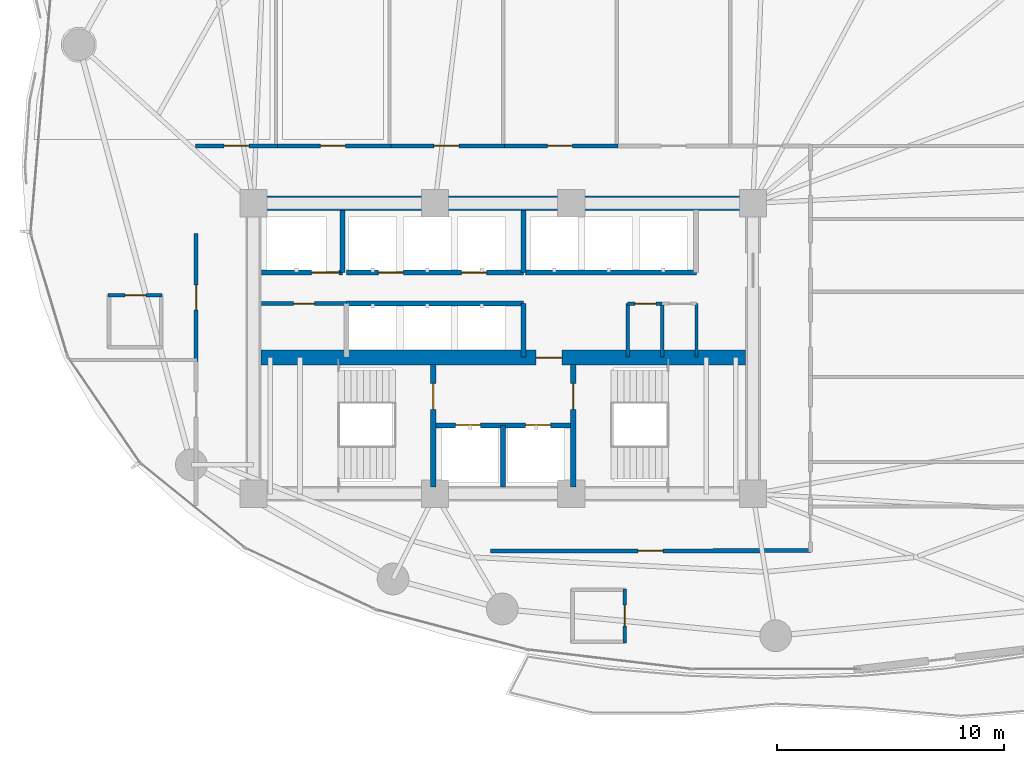
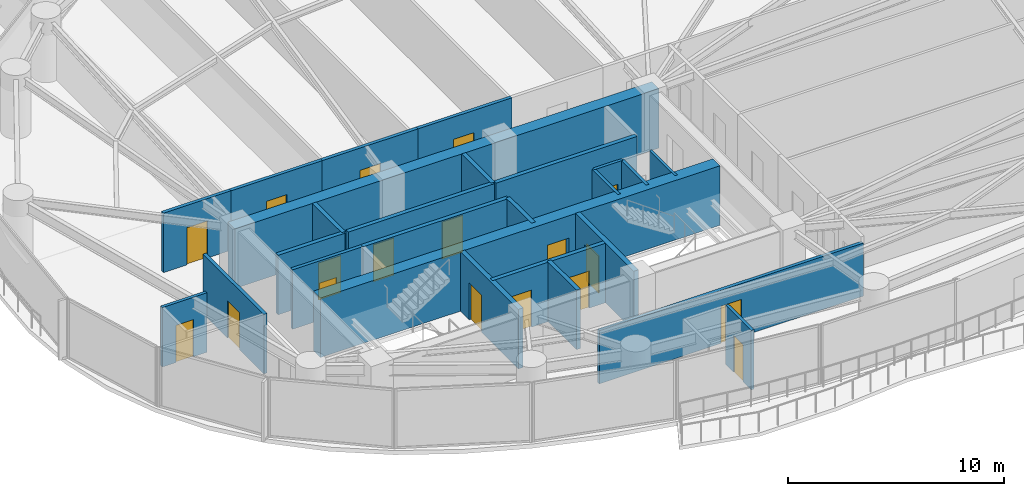
# One storey, part 25 of 30: 26 walls, 18 doors, 18 openings.
"""IFC4 building model written with IfcOpenShell, lengths in metres."""

from ifc_helpers import new_model, si_unit, direction, frame, frame_2d, origin, place, context, subcontext, project, spatial, rectangle, extrude, material, layer, layer_set, type_object, element, fill, save


model = new_model("IFC4")

# Units and contexts
model_context = context("Model", 3, precision=1e-05, world=origin(), true_north=direction((0.0, 1.0)))
body_context = subcontext(model_context, "Body", "Model", "MODEL_VIEW")
ifc_project = project(units=[si_unit("LENGTHUNIT", "METRE"), si_unit("AREAUNIT", "SQUARE_METRE"), si_unit("VOLUMEUNIT", "CUBIC_METRE"), si_unit("PLANEANGLEUNIT", "RADIAN"), si_unit("MASSUNIT", "GRAM", prefix="KILO")], contexts=[model_context])

# Site, building, storey
site_placement = place(None, origin())
site = spatial("IfcSite", under=ifc_project, at=site_placement, CompositionType="ELEMENT")
building_placement = place(site_placement, origin())
building = spatial("IfcBuilding", under=site, at=building_placement, Name="Kazevale Care Tower and Concert Hall", CompositionType="ELEMENT")
storey_placement = place(building_placement, frame((0.0, 0.0, 74.39990234375)))
storey = spatial("IfcBuildingStorey", under=building, at=storey_placement, Name="L19", CompositionType="ELEMENT", Elevation=74.39990234375)

# Walls
ifc_material_1 = material(Name="Acoustic Gypsum on Steel Stud", Category="steel")
ifc_layer_1 = layer(ifc_material_1, 0.139892578125)
ifc_layer_set_1 = layer_set([ifc_layer_1], Name="Acoustic Gypsum on Steel Stud")
wall_type_1 = type_object("IfcWallType", Name="Acoustic Care & Suite Partition 140", PredefinedType="PARTITIONING", material=ifc_layer_set_1)
wall_1_placement = place(storey_placement, frame((41.52001953125, 29.6201171875, 0.0), z_axis=(0.0, 0.0, 1.0), x_axis=(0.0, 1.0, 0.0)))
element("IfcWall", 1, at=wall_1_placement, inside=storey, type_object=wall_type_1, Name="wall:L19:ka_ee", PredefinedType="PARTITIONING", context=body_context, shape_type="SweptSolid", body=[
    extrude(rectangle(XDim=2.35986328125, YDim=0.139892578125, at=frame_2d((1.179931640625, 0.0))), origin(), (0.0, 0.0, 1.0), 3.360107421875),
])
ifc_material_2 = material(Name="Concrete C70", Category="concrete")
ifc_layer_2 = layer(ifc_material_2, 0.64990234375)
ifc_layer_set_2 = layer_set([ifc_layer_2], Name="Concrete C70")
wall_type_2 = type_object("IfcWallType", Name="Core Shear Wall 650 C70", PredefinedType="SHEAR", material=ifc_layer_set_2)
wall_2_placement = place(storey_placement, frame((21.675048828125, 36.39990234375, 0.0), z_axis=(0.0, 0.0, 1.0), x_axis=(1.0, 0.0, 0.0)))
element("IfcWall", 2, at=wall_2_placement, inside=storey, type_object=wall_type_2, Name="wall:L19:core:N", PredefinedType="SHEAR", context=body_context, shape_type="SweptSolid", body=[
    extrude(rectangle(XDim=22.64990234375, YDim=0.64990234375, at=frame_2d((11.324951171875, 0.0))), origin(), (0.0, 0.0, 1.0), 3.360107421875),
])

# Wall, opening, door
wall_3_placement = place(storey_placement, frame((22.324951171875, 29.60009765625, 0.0), z_axis=(0.0, 0.0, 1.0), x_axis=(1.0, 0.0, 0.0)))
wall_3 = element("IfcWall", 3, at=wall_3_placement, inside=storey, type_object=wall_type_2, Name="wall:L19:core:M", PredefinedType="SHEAR", context=body_context, shape_type="SweptSolid", body=[
    extrude(rectangle(XDim=21.35009765625, YDim=0.64990234375, at=frame_2d((10.675048828125, 0.0))), origin(), (0.0, 0.0, 1.0), 3.360107421875),
])
opening_1_placement = place(wall_3_placement, frame((12.125, 0.0, 0.0)))
opening_1 = element("IfcOpeningElement", 4, at=opening_1_placement, cuts=wall_3, Name="Opening FD-90", PredefinedType="OPENING", context=body_context, shape_type="SweptSolid", body=[
    extrude(rectangle(XDim=1.14990234375, YDim=2.10009765625, at=frame_2d((0.574951171875, 1.050048828125))), frame((0.0, 0.3349609375, 0.0), z_axis=(0.0, -1.0, 0.0), x_axis=(1.0, 0.0, 0.0)), (0.0, 0.0, 1.0), 0.669921875),
])
ifc_material_3 = material(Name="Steel ASTM A572 Gr 50", Category="steel")
door_type_1 = type_object("IfcDoorType", Name="Pressurized Stair & Lobby Fire Door 1150x2100", OperationType="NOTDEFINED", PredefinedType="DOOR", material=ifc_material_3)
door_1_placement = place(opening_1_placement, origin())
door_1 = element("IfcDoor", 5, at=door_1_placement, inside=storey, type_object=door_type_1, Name="door:L19:ff_to_pax", OperationType="SINGLE_SWING_LEFT", OverallHeight=2.10009765625, OverallWidth=1.14990234375, PredefinedType="DOOR", context=body_context, shape_type="SweptSolid", body=[
    extrude(rectangle(XDim=1.14990234375, YDim=2.10009765625, at=frame_2d((0.574951171875, 1.050048828125))), frame((0.0, 0.02490234375, 0.0), z_axis=(0.0, -1.0, 0.0), x_axis=(1.0, 0.0, 0.0)), (0.0, 0.0, 1.0), 0.050048828125),
])
fill(opening_1, door_1)

# Wall, openings, doors
ifc_material_4 = material(Name="Concrete C40", Category="concrete")
ifc_layer_3 = layer(ifc_material_4, 0.219970703125)
ifc_layer_set_3 = layer_set([ifc_layer_3], Name="Concrete C40")
wall_type_3 = type_object("IfcWallType", Name="Elevator Hoistway Shaft Wall 220", PredefinedType="SOLIDWALL", material=ifc_layer_set_3)
wall_4_placement = place(storey_placement, frame((29.919921875, 26.6201171875, 0.0), z_axis=(0.0, 0.0, 1.0), x_axis=(1.0, 0.0, 0.0)))
wall_4 = element("IfcWall", 6, at=wall_4_placement, inside=storey, type_object=wall_type_3, Name="wall:L19:c_ffl_n", PredefinedType="SOLIDWALL", context=body_context, shape_type="SweptSolid", body=[
    extrude(rectangle(XDim=6.16015625, YDim=0.219970703125, at=frame_2d((3.080078125, 0.0))), origin(), (0.0, 0.0, 1.0), 3.360107421875),
])
opening_2_placement = place(wall_4_placement, frame((0.989990234375, 0.0, 0.0)))
opening_2 = element("IfcOpeningElement", 7, at=opening_2_placement, cuts=wall_4, Name="Opening LD-FF", PredefinedType="OPENING", context=body_context, shape_type="SweptSolid", body=[
    extrude(rectangle(XDim=1.10009765625, YDim=2.10009765625, at=frame_2d((0.550048828125, 1.050048828125))), frame((0.0, 0.119873046875, 0.0), z_axis=(0.0, -1.0, 0.0), x_axis=(1.0, 0.0, 0.0)), (0.0, 0.0, 1.0), 0.239990234375),
])
opening_3_placement = place(wall_4_placement, frame((4.070068359375, 0.0, 0.0)))
opening_3 = element("IfcOpeningElement", 8, at=opening_3_placement, cuts=wall_4, Name="Opening LD-FF", PredefinedType="OPENING", context=body_context, shape_type="SweptSolid", body=[
    extrude(rectangle(XDim=1.10009765625, YDim=2.10009765625, at=frame_2d((0.550048828125, 1.050048828125))), frame((0.0, 0.119873046875, 0.0), z_axis=(0.0, -1.0, 0.0), x_axis=(1.0, 0.0, 0.0)), (0.0, 0.0, 1.0), 0.239990234375),
])
ifc_material_5 = material(Name="Stainless Steel 316", Category="steel")
door_type_2 = type_object("IfcDoorType", Name="Emergency Lift Sliding Landing Door 1100x2100", OperationType="NOTDEFINED", PredefinedType="DOOR", material=ifc_material_5)
door_2_placement = place(opening_2_placement, origin())
door_2 = element("IfcDoor", 9, at=door_2_placement, inside=storey, type_object=door_type_2, Name="door:L19:ld_ffl1", OperationType="SLIDING_TO_LEFT", OverallHeight=2.10009765625, OverallWidth=1.10009765625, PredefinedType="DOOR", context=body_context, shape_type="SweptSolid", body=[
    extrude(rectangle(XDim=1.10009765625, YDim=2.10009765625, at=frame_2d((0.550048828125, 1.050048828125))), frame((0.0, 0.02490234375, 0.0), z_axis=(0.0, -1.0, 0.0), x_axis=(1.0, 0.0, 0.0)), (0.0, 0.0, 1.0), 0.050048828125),
])
fill(opening_2, door_2)
door_3_placement = place(opening_3_placement, origin())
door_3 = element("IfcDoor", 10, at=door_3_placement, inside=storey, type_object=door_type_2, Name="door:L19:ld_ffl2", OperationType="SLIDING_TO_RIGHT", OverallHeight=2.10009765625, OverallWidth=1.10009765625, PredefinedType="DOOR", context=body_context, shape_type="SweptSolid", body=[
    extrude(rectangle(XDim=1.10009765625, YDim=2.10009765625, at=frame_2d((0.550048828125, 1.050048828125))), frame((0.0, 0.02490234375, 0.0), z_axis=(0.0, -1.0, 0.0), x_axis=(1.0, 0.0, 0.0)), (0.0, 0.0, 1.0), 0.050048828125),
])
fill(opening_3, door_3)

# Walls
wall_5_placement = place(storey_placement, frame((33.0, 23.89990234375, 0.0), z_axis=(0.0, 0.0, 1.0), x_axis=(0.0, 1.0, 0.0)))
element("IfcWall", 11, at=wall_5_placement, inside=storey, type_object=wall_type_3, Name="wall:L19:c_ffl_m", PredefinedType="SOLIDWALL", context=body_context, shape_type="SweptSolid", body=[
    extrude(rectangle(XDim=2.72021484375, YDim=0.219970703125, at=frame_2d((1.360107421875, 0.0))), origin(), (0.0, 0.0, 1.0), 3.360107421875),
])
wall_6_placement = place(storey_placement, frame((25.919921875, 33.35009765625, 0.0), z_axis=(0.0, 0.0, 1.0), x_axis=(0.0, 1.0, 0.0)))
element("IfcWall", 12, at=wall_6_placement, inside=storey, type_object=wall_type_3, Name="wall:L19:c_svl_e", PredefinedType="SOLIDWALL", context=body_context, shape_type="SweptSolid", body=[
    extrude(rectangle(XDim=2.72998046875, YDim=0.219970703125, at=frame_2d((1.364990234375, 0.0))), origin(), (0.0, 0.0, 1.0), 3.360107421875),
])

# Wall, opening, door
wall_7_placement = place(storey_placement, frame((22.35009765625, 33.35009765625, 0.0), z_axis=(0.0, 0.0, 1.0), x_axis=(1.0, 0.0, 0.0)))
wall_7 = element("IfcWall", 13, at=wall_7_placement, inside=storey, type_object=wall_type_3, Name="wall:L19:c_svl_s", PredefinedType="SOLIDWALL", context=body_context, shape_type="SweptSolid", body=[
    extrude(rectangle(XDim=3.56982421875, YDim=0.219970703125, at=frame_2d((1.784912109375, 0.0))), origin(), (0.0, 0.0, 1.0), 3.360107421875),
])
opening_4_placement = place(wall_7_placement, frame((2.212890625, 0.0, 0.0)))
opening_4 = element("IfcOpeningElement", 14, at=opening_4_placement, cuts=wall_7, Name="Opening LD-SV", PredefinedType="OPENING", context=body_context, shape_type="SweptSolid", body=[
    extrude(rectangle(XDim=1.199951171875, YDim=2.10009765625, at=frame_2d((0.60009765625, 1.050048828125))), frame((0.0, 0.119873046875, 0.0), z_axis=(0.0, -1.0, 0.0), x_axis=(1.0, 0.0, 0.0)), (0.0, 0.0, 1.0), 0.239990234375),
])
door_type_3 = type_object("IfcDoorType", Name="Service Lift Sliding Landing Door 1200x2100", OperationType="NOTDEFINED", PredefinedType="DOOR", material=ifc_material_5)
door_4_placement = place(opening_4_placement, origin())
door_4 = element("IfcDoor", 15, at=door_4_placement, inside=storey, type_object=door_type_3, Name="door:L19:ld_svl1", OperationType="SLIDING_TO_LEFT", OverallHeight=2.10009765625, OverallWidth=1.199951171875, PredefinedType="DOOR", context=body_context, shape_type="SweptSolid", body=[
    extrude(rectangle(XDim=1.199951171875, YDim=2.10009765625, at=frame_2d((0.60009765625, 1.050048828125))), frame((0.0, 0.02490234375, 0.0), z_axis=(0.0, -1.0, 0.0), x_axis=(1.0, 0.0, 0.0)), (0.0, 0.0, 1.0), 0.050048828125),
])
fill(opening_4, door_4)

# Walls
wall_8_placement = place(storey_placement, frame((26.10009765625, 31.97998046875, 0.0), z_axis=(0.0, 0.0, 1.0), x_axis=(1.0, 0.0, 0.0)))
element("IfcWall", 16, at=wall_8_placement, inside=storey, type_object=wall_type_3, Name="wall:L19:c_ph_n", PredefinedType="SOLIDWALL", context=body_context, shape_type="SweptSolid", body=[
    extrude(rectangle(XDim=7.7998046875, YDim=0.219970703125, at=frame_2d((3.89990234375, 0.0))), origin(), (0.0, 0.0, 1.0), 3.360107421875),
])
wall_9_placement = place(storey_placement, frame((33.89990234375, 29.6201171875, 0.0), z_axis=(0.0, 0.0, 1.0), x_axis=(0.0, 1.0, 0.0)))
element("IfcWall", 17, at=wall_9_placement, inside=storey, type_object=wall_type_3, Name="wall:L19:c_ph_e", PredefinedType="SOLIDWALL", context=body_context, shape_type="SweptSolid", body=[
    extrude(rectangle(XDim=2.35986328125, YDim=0.219970703125, at=frame_2d((1.179931640625, 0.0))), origin(), (0.0, 0.0, 1.0), 3.360107421875),
])

# Wall, openings, doors
wall_10_placement = place(storey_placement, frame((26.10009765625, 33.35009765625, 0.0), z_axis=(0.0, 0.0, 1.0), x_axis=(1.0, 0.0, 0.0)))
wall_10 = element("IfcWall", 18, at=wall_10_placement, inside=storey, type_object=wall_type_3, Name="wall:L19:c_pl_s", PredefinedType="SOLIDWALL", context=body_context, shape_type="SweptSolid", body=[
    extrude(rectangle(XDim=7.7998046875, YDim=0.219970703125, at=frame_2d((3.89990234375, 0.0))), origin(), (0.0, 0.0, 1.0), 3.360107421875),
])
opening_5_placement = place(wall_10_placement, frame((1.39990234375, 0.0, 0.0)))
opening_5 = element("IfcOpeningElement", 19, at=opening_5_placement, cuts=wall_10, Name="Opening LD-PAX", PredefinedType="OPENING", context=body_context, shape_type="SweptSolid", body=[
    extrude(rectangle(XDim=1.10009765625, YDim=2.10009765625, at=frame_2d((0.550048828125, 1.050048828125))), frame((0.0, 0.119873046875, 0.0), z_axis=(0.0, -1.0, 0.0), x_axis=(1.0, 0.0, 0.0)), (0.0, 0.0, 1.0), 0.239990234375),
])
opening_6_placement = place(wall_10_placement, frame((5.06591796875, 0.0, 0.0)))
opening_6 = element("IfcOpeningElement", 20, at=opening_6_placement, cuts=wall_10, Name="Opening LD-PAX", PredefinedType="OPENING", context=body_context, shape_type="SweptSolid", body=[
    extrude(rectangle(XDim=1.10009765625, YDim=2.10009765625, at=frame_2d((0.550048828125, 1.050048828125))), frame((0.0, 0.119873046875, 0.0), z_axis=(0.0, -1.0, 0.0), x_axis=(1.0, 0.0, 0.0)), (0.0, 0.0, 1.0), 0.239990234375),
])
door_type_4 = type_object("IfcDoorType", Name="Passenger Lift Sliding Landing Door 1100x2100", OperationType="NOTDEFINED", PredefinedType="DOOR", material=ifc_material_5)
door_5_placement = place(opening_5_placement, origin())
door_5 = element("IfcDoor", 21, at=door_5_placement, inside=storey, type_object=door_type_4, Name="door:L19:ld_pl1", OperationType="SLIDING_TO_LEFT", OverallHeight=2.10009765625, OverallWidth=1.10009765625, PredefinedType="DOOR", context=body_context, shape_type="SweptSolid", body=[
    extrude(rectangle(XDim=1.10009765625, YDim=2.10009765625, at=frame_2d((0.550048828125, 1.050048828125))), frame((0.0, 0.02490234375, 0.0), z_axis=(0.0, -1.0, 0.0), x_axis=(1.0, 0.0, 0.0)), (0.0, 0.0, 1.0), 0.050048828125),
])
fill(opening_5, door_5)
door_6_placement = place(opening_6_placement, origin())
door_6 = element("IfcDoor", 22, at=door_6_placement, inside=storey, type_object=door_type_4, Name="door:L19:ld_pl2", OperationType="SLIDING_TO_RIGHT", OverallHeight=2.10009765625, OverallWidth=1.10009765625, PredefinedType="DOOR", context=body_context, shape_type="SweptSolid", body=[
    extrude(rectangle(XDim=1.10009765625, YDim=2.10009765625, at=frame_2d((0.550048828125, 1.050048828125))), frame((0.0, 0.02490234375, 0.0), z_axis=(0.0, -1.0, 0.0), x_axis=(1.0, 0.0, 0.0)), (0.0, 0.0, 1.0), 0.050048828125),
])
fill(opening_6, door_6)

# Walls
wall_11_placement = place(storey_placement, frame((33.89990234375, 33.35009765625, 0.0), z_axis=(0.0, 0.0, 1.0), x_axis=(0.0, 1.0, 0.0)))
element("IfcWall", 23, at=wall_11_placement, inside=storey, type_object=wall_type_3, Name="wall:L19:c_pl_e", PredefinedType="SOLIDWALL", context=body_context, shape_type="SweptSolid", body=[
    extrude(rectangle(XDim=2.72998046875, YDim=0.219970703125, at=frame_2d((1.364990234375, 0.0))), origin(), (0.0, 0.0, 1.0), 3.360107421875),
])
wall_12_placement = place(storey_placement, frame((33.97998046875, 33.35009765625, 0.0), z_axis=(0.0, 0.0, 1.0), x_axis=(1.0, 0.0, 0.0)))
element("IfcWall", 24, at=wall_12_placement, inside=storey, type_object=wall_type_3, Name="wall:L19:c_pm_s", PredefinedType="SOLIDWALL", context=body_context, shape_type="SweptSolid", body=[
    extrude(rectangle(XDim=7.5400390625, YDim=0.219970703125, at=frame_2d((3.77001953125, 0.0))), origin(), (0.0, 0.0, 1.0), 3.360107421875),
])

# Wall, opening, door
ifc_material_6 = material(Name="Concrete C40 and Acoustic Gypsum", Category="concrete")
ifc_layer_4 = layer(ifc_material_6, 0.179931640625)
ifc_layer_set_4 = layer_set([ifc_layer_4], Name="Concrete C40 and Acoustic Gypsum")
wall_type_4 = type_object("IfcWallType", Name="Fire-Rated Corridor & Party Wall 180", PredefinedType="PARTITIONING", material=ifc_layer_set_4)
wall_13_placement = place(storey_placement, frame((22.35009765625, 31.97998046875, 0.0), z_axis=(0.0, 0.0, 1.0), x_axis=(1.0, 0.0, 0.0)))
wall_13 = element("IfcWall", 25, at=wall_13_placement, inside=storey, type_object=wall_type_4, Name="wall:L19:ka_wn1", PredefinedType="PARTITIONING", context=body_context, shape_type="SweptSolid", body=[
    extrude(rectangle(XDim=3.75, YDim=0.179931640625, at=frame_2d((1.875, 0.0))), origin(), (0.0, 0.0, 1.0), 3.360107421875),
])
opening_7_placement = place(wall_13_placement, frame((1.425048828125, 0.0, 0.0)))
opening_7 = element("IfcOpeningElement", 26, at=opening_7_placement, cuts=wall_13, Name="Opening ID-900", PredefinedType="OPENING", context=body_context, shape_type="SweptSolid", body=[
    extrude(rectangle(XDim=0.919921875, YDim=2.10009765625, at=frame_2d((0.4599609375, 1.050048828125))), frame((0.0, 0.099853515625, 0.0), z_axis=(0.0, -1.0, 0.0), x_axis=(1.0, 0.0, 0.0)), (0.0, 0.0, 1.0), 0.199951171875),
])
ifc_material_7 = material(Name="Oak Timber Fire Leaf", Category="wood")
door_type_5 = type_object("IfcDoorType", Name="Bathroom & Service Door 920x2100", OperationType="NOTDEFINED", PredefinedType="DOOR", material=ifc_material_7)
door_7_placement = place(opening_7_placement, origin())
door_7 = element("IfcDoor", 27, at=door_7_placement, inside=storey, type_object=door_type_5, Name="door:L19:d_kaw", OperationType="SINGLE_SWING_LEFT", OverallHeight=2.10009765625, OverallWidth=0.919921875, PredefinedType="DOOR", context=body_context, shape_type="SweptSolid", body=[
    extrude(rectangle(XDim=0.919921875, YDim=2.10009765625, at=frame_2d((0.4599609375, 1.050048828125))), frame((0.0, 0.02490234375, 0.0), z_axis=(0.0, -1.0, 0.0), x_axis=(1.0, 0.0, 0.0)), (0.0, 0.0, 1.0), 0.050048828125),
])
fill(opening_7, door_7)

wall_14_placement = place(storey_placement, frame((19.445068359375, 38.925048828125, 0.0), z_axis=(0.0, 0.0, 1.0), x_axis=(1.0, 0.0, 0.0)))
wall_14 = element("IfcWall", 28, at=wall_14_placement, inside=storey, type_object=wall_type_4, Name="wall:L19:auto_001", PredefinedType="PARTITIONING", context=body_context, shape_type="SweptSolid", body=[
    extrude(rectangle(XDim=3.619873046875, YDim=0.179931640625, at=frame_2d((1.81005859375, 0.0))), origin(), (0.0, 0.0, 1.0), 3.360107421875),
])
opening_8_placement = place(wall_14_placement, frame((1.260009765625, 0.0, 0.0)))
opening_8 = element("IfcOpeningElement", 29, at=opening_8_placement, cuts=wall_14, Name="Opening ID-1100", PredefinedType="OPENING", context=body_context, shape_type="SweptSolid", body=[
    extrude(rectangle(XDim=1.10009765625, YDim=2.10009765625, at=frame_2d((0.550048828125, 1.050048828125))), frame((0.0, 0.099853515625, 0.0), z_axis=(0.0, -1.0, 0.0), x_axis=(1.0, 0.0, 0.0)), (0.0, 0.0, 1.0), 0.199951171875),
])
door_type_6 = type_object("IfcDoorType", Name="Care Bedroom Accessible Door 1100x2100", OperationType="NOTDEFINED", PredefinedType="DOOR", material=ifc_material_7)
door_8_placement = place(opening_8_placement, origin())
door_8 = element("IfcDoor", 30, at=door_8_placement, inside=storey, type_object=door_type_6, Name="door:L19:ad_001", OperationType="SINGLE_SWING_LEFT", OverallHeight=2.10009765625, OverallWidth=1.10009765625, PredefinedType="DOOR", context=body_context, shape_type="SweptSolid", body=[
    extrude(rectangle(XDim=1.10009765625, YDim=2.10009765625, at=frame_2d((0.550048828125, 1.050048828125))), frame((0.0, 0.02490234375, 0.0), z_axis=(0.0, -1.0, 0.0), x_axis=(1.0, 0.0, 0.0)), (0.0, 0.0, 1.0), 0.050048828125),
])
fill(opening_8, door_8)

wall_15_placement = place(storey_placement, frame((22.93505859375, 38.925048828125, 0.0), z_axis=(0.0, 0.0, 1.0), x_axis=(1.0, 0.0, 0.0)))
wall_15 = element("IfcWall", 31, at=wall_15_placement, inside=storey, type_object=wall_type_4, Name="wall:L19:auto_002", PredefinedType="PARTITIONING", context=body_context, shape_type="SweptSolid", body=[
    extrude(rectangle(XDim=5.1298828125, YDim=0.179931640625, at=frame_2d((2.56494140625, 0.0))), origin(), (0.0, 0.0, 1.0), 3.360107421875),
])
opening_9_placement = place(wall_15_placement, frame((2.014892578125, 0.0, 0.0)))
opening_9 = element("IfcOpeningElement", 32, at=opening_9_placement, cuts=wall_15, Name="Opening ID-1100", PredefinedType="OPENING", context=body_context, shape_type="SweptSolid", body=[
    extrude(rectangle(XDim=1.10009765625, YDim=2.10009765625, at=frame_2d((0.550048828125, 1.050048828125))), frame((0.0, 0.099853515625, 0.0), z_axis=(0.0, -1.0, 0.0), x_axis=(1.0, 0.0, 0.0)), (0.0, 0.0, 1.0), 0.199951171875),
])
door_9_placement = place(opening_9_placement, origin())
door_9 = element("IfcDoor", 33, at=door_9_placement, inside=storey, type_object=door_type_6, Name="door:L19:ad_002", OperationType="SINGLE_SWING_LEFT", OverallHeight=2.10009765625, OverallWidth=1.10009765625, PredefinedType="DOOR", context=body_context, shape_type="SweptSolid", body=[
    extrude(rectangle(XDim=1.10009765625, YDim=2.10009765625, at=frame_2d((0.550048828125, 1.050048828125))), frame((0.0, 0.02490234375, 0.0), z_axis=(0.0, -1.0, 0.0), x_axis=(1.0, 0.0, 0.0)), (0.0, 0.0, 1.0), 0.050048828125),
])
fill(opening_9, door_9)

wall_16_placement = place(storey_placement, frame((27.93505859375, 38.925048828125, 0.0), z_axis=(0.0, 0.0, 1.0), x_axis=(1.0, 0.0, 0.0)))
wall_16 = element("IfcWall", 34, at=wall_16_placement, inside=storey, type_object=wall_type_4, Name="wall:L19:auto_003", PredefinedType="PARTITIONING", context=body_context, shape_type="SweptSolid", body=[
    extrude(rectangle(XDim=5.1298828125, YDim=0.179931640625, at=frame_2d((2.56494140625, 0.0))), origin(), (0.0, 0.0, 1.0), 3.360107421875),
])
opening_10_placement = place(wall_16_placement, frame((2.014892578125, 0.0, 0.0)))
opening_10 = element("IfcOpeningElement", 35, at=opening_10_placement, cuts=wall_16, Name="Opening ID-1100", PredefinedType="OPENING", context=body_context, shape_type="SweptSolid", body=[
    extrude(rectangle(XDim=1.10009765625, YDim=2.10009765625, at=frame_2d((0.550048828125, 1.050048828125))), frame((0.0, 0.099853515625, 0.0), z_axis=(0.0, -1.0, 0.0), x_axis=(1.0, 0.0, 0.0)), (0.0, 0.0, 1.0), 0.199951171875),
])
door_10_placement = place(opening_10_placement, origin())
door_10 = element("IfcDoor", 36, at=door_10_placement, inside=storey, type_object=door_type_6, Name="door:L19:ad_003", OperationType="SINGLE_SWING_LEFT", OverallHeight=2.10009765625, OverallWidth=1.10009765625, PredefinedType="DOOR", context=body_context, shape_type="SweptSolid", body=[
    extrude(rectangle(XDim=1.10009765625, YDim=2.10009765625, at=frame_2d((0.550048828125, 1.050048828125))), frame((0.0, 0.02490234375, 0.0), z_axis=(0.0, -1.0, 0.0), x_axis=(1.0, 0.0, 0.0)), (0.0, 0.0, 1.0), 0.050048828125),
])
fill(opening_10, door_10)

wall_17_placement = place(storey_placement, frame((32.93505859375, 38.925048828125, 0.0), z_axis=(0.0, 0.0, 1.0), x_axis=(1.0, 0.0, 0.0)))
wall_17 = element("IfcWall", 37, at=wall_17_placement, inside=storey, type_object=wall_type_4, Name="wall:L19:auto_004", PredefinedType="PARTITIONING", context=body_context, shape_type="SweptSolid", body=[
    extrude(rectangle(XDim=5.1298828125, YDim=0.179931640625, at=frame_2d((2.56494140625, 0.0))), origin(), (0.0, 0.0, 1.0), 3.360107421875),
])
opening_11_placement = place(wall_17_placement, frame((2.014892578125, 0.0, 0.0)))
opening_11 = element("IfcOpeningElement", 38, at=opening_11_placement, cuts=wall_17, Name="Opening ID-1100", PredefinedType="OPENING", context=body_context, shape_type="SweptSolid", body=[
    extrude(rectangle(XDim=1.10009765625, YDim=2.10009765625, at=frame_2d((0.550048828125, 1.050048828125))), frame((0.0, 0.099853515625, 0.0), z_axis=(0.0, -1.0, 0.0), x_axis=(1.0, 0.0, 0.0)), (0.0, 0.0, 1.0), 0.199951171875),
])
door_11_placement = place(opening_11_placement, origin())
door_11 = element("IfcDoor", 39, at=door_11_placement, inside=storey, type_object=door_type_6, Name="door:L19:ad_004", OperationType="SINGLE_SWING_LEFT", OverallHeight=2.10009765625, OverallWidth=1.10009765625, PredefinedType="DOOR", context=body_context, shape_type="SweptSolid", body=[
    extrude(rectangle(XDim=1.10009765625, YDim=2.10009765625, at=frame_2d((0.550048828125, 1.050048828125))), frame((0.0, 0.02490234375, 0.0), z_axis=(0.0, -1.0, 0.0), x_axis=(1.0, 0.0, 0.0)), (0.0, 0.0, 1.0), 0.050048828125),
])
fill(opening_11, door_11)

wall_18_placement = place(storey_placement, frame((46.554931640625, 21.10009765625, 0.0), z_axis=(0.0, 0.0, 1.0), x_axis=(-0.999998414151, -0.001780925679, 0.0)))
wall_18 = element("IfcWall", 40, at=wall_18_placement, inside=storey, type_object=wall_type_4, Name="wall:L19:auto_013", PredefinedType="PARTITIONING", context=body_context, shape_type="SweptSolid", body=[
    extrude(rectangle(XDim=14.119873046875, YDim=0.179931640625, at=frame_2d((7.06005859375, 0.0))), origin(), (0.0, 0.0, 1.0), 2.99609375),
])
opening_12_placement = place(wall_18_placement, frame((6.510009765625, 0.0, 0.0)))
opening_12 = element("IfcOpeningElement", 41, at=opening_12_placement, cuts=wall_18, Name="Opening ID-1100", PredefinedType="OPENING", context=body_context, shape_type="SweptSolid", body=[
    extrude(rectangle(XDim=1.10009765625, YDim=2.10009765625, at=frame_2d((0.550048828125, 1.050048828125))), frame((0.0, 0.099853515625, 0.0), z_axis=(0.0, -1.0, 0.0), x_axis=(1.0, 0.0, 0.0)), (0.0, 0.0, 1.0), 0.199951171875),
])
door_12_placement = place(opening_12_placement, origin())
door_12 = element("IfcDoor", 42, at=door_12_placement, inside=storey, type_object=door_type_6, Name="door:L19:ad_013", OperationType="SINGLE_SWING_LEFT", OverallHeight=2.10009765625, OverallWidth=1.10009765625, PredefinedType="DOOR", context=body_context, shape_type="SweptSolid", body=[
    extrude(rectangle(XDim=1.10009765625, YDim=2.10009765625, at=frame_2d((0.550048828125, 1.050048828125))), frame((0.0, 0.02490234375, 0.0), z_axis=(0.0, -1.0, 0.0), x_axis=(1.0, 0.0, 0.0)), (0.0, 0.0, 1.0), 0.050048828125),
])
fill(opening_12, door_12)

wall_19_placement = place(storey_placement, frame((19.47509765625, 29.43505859375, 0.0), z_axis=(0.0, 0.0, 1.0), x_axis=(0.0, 1.0, 0.0)))
wall_19 = element("IfcWall", 43, at=wall_19_placement, inside=storey, type_object=wall_type_4, Name="wall:L19:auto_015", PredefinedType="PARTITIONING", context=body_context, shape_type="SweptSolid", body=[
    extrude(rectangle(XDim=5.6298828125, YDim=0.179931640625, at=frame_2d((2.81494140625, 0.0))), origin(), (0.0, 0.0, 1.0), 3.360107421875),
])
opening_13_placement = place(wall_19_placement, frame((2.264892578125, 0.0, 0.0)))
opening_13 = element("IfcOpeningElement", 44, at=opening_13_placement, cuts=wall_19, Name="Opening ID-1100", PredefinedType="OPENING", context=body_context, shape_type="SweptSolid", body=[
    extrude(rectangle(XDim=1.10009765625, YDim=2.10009765625, at=frame_2d((0.550048828125, 1.050048828125))), frame((0.0, 0.099853515625, 0.0), z_axis=(0.0, -1.0, 0.0), x_axis=(1.0, 0.0, 0.0)), (0.0, 0.0, 1.0), 0.199951171875),
])
door_13_placement = place(opening_13_placement, origin())
door_13 = element("IfcDoor", 45, at=door_13_placement, inside=storey, type_object=door_type_6, Name="door:L19:ad_015", OperationType="SINGLE_SWING_LEFT", OverallHeight=2.10009765625, OverallWidth=1.10009765625, PredefinedType="DOOR", context=body_context, shape_type="SweptSolid", body=[
    extrude(rectangle(XDim=1.10009765625, YDim=2.10009765625, at=frame_2d((0.550048828125, 1.050048828125))), frame((0.0, 0.02490234375, 0.0), z_axis=(0.0, -1.0, 0.0), x_axis=(1.0, 0.0, 0.0)), (0.0, 0.0, 1.0), 0.050048828125),
])
fill(opening_13, door_13)

# Walls
ifc_layer_5 = layer(ifc_material_1, 0.159912109375)
ifc_layer_set_5 = layer_set([ifc_layer_5], Name="Acoustic Gypsum on Steel Stud")
wall_type_5 = type_object("IfcWallType", Name="Moisture-Resistant Bathroom Plumbing Wall 160", PredefinedType="PLUMBINGWALL", material=ifc_layer_set_5)
for number, where, z_axis, x_axis, name in (
    (46, (38.47998046875, 29.6201171875, 0.0), (0.0, 0.0, 1.0), (0.0, 1.0, 0.0), "wall:L19:ka_ew"),
    (47, (40.0, 29.6201171875, 0.0), (0.0, 0.0, 1.0), (0.0, 1.0, 0.0), "wall:L19:ka_em"),
):
    element("IfcWall", number, at=place(storey_placement, frame(where, z_axis=z_axis, x_axis=x_axis)), inside=storey, type_object=wall_type_5, Name=name, PredefinedType="PLUMBINGWALL", context=body_context, shape_type="SweptSolid", body=[
        extrude(rectangle(XDim=2.35986328125, YDim=0.159912109375, at=frame_2d((1.179931640625, 0.0))), origin(), (0.0, 0.0, 1.0), 3.360107421875),
    ])

# Wall, opening, door
wall_20_placement = place(storey_placement, frame((38.47998046875, 31.97998046875, 0.0), z_axis=(0.0, 0.0, 1.0), x_axis=(1.0, 0.0, 0.0)))
wall_20 = element("IfcWall", 48, at=wall_20_placement, inside=storey, type_object=wall_type_5, Name="wall:L19:ka_en1", PredefinedType="PLUMBINGWALL", context=body_context, shape_type="SweptSolid", body=[
    extrude(rectangle(XDim=1.52001953125, YDim=0.159912109375, at=frame_2d((0.760009765625, 0.0))), origin(), (0.0, 0.0, 1.0), 3.360107421875),
])
opening_14_placement = place(wall_20_placement, frame((0.320068359375, 0.0, 0.0)))
opening_14 = element("IfcOpeningElement", 49, at=opening_14_placement, cuts=wall_20, Name="Opening ID-900", PredefinedType="OPENING", context=body_context, shape_type="SweptSolid", body=[
    extrude(rectangle(XDim=0.919921875, YDim=2.10009765625, at=frame_2d((0.4599609375, 1.050048828125))), frame((0.0, 0.08984375, 0.0), z_axis=(0.0, -1.0, 0.0), x_axis=(1.0, 0.0, 0.0)), (0.0, 0.0, 1.0), 0.179931640625),
])
door_14_placement = place(opening_14_placement, origin())
door_14 = element("IfcDoor", 50, at=door_14_placement, inside=storey, type_object=door_type_5, Name="door:L19:d_kae1", OperationType="SINGLE_SWING_LEFT", OverallHeight=2.10009765625, OverallWidth=0.919921875, PredefinedType="DOOR", context=body_context, shape_type="SweptSolid", body=[
    extrude(rectangle(XDim=0.919921875, YDim=2.10009765625, at=frame_2d((0.4599609375, 1.050048828125))), frame((0.0, 0.02490234375, 0.0), z_axis=(0.0, -1.0, 0.0), x_axis=(1.0, 0.0, 0.0)), (0.0, 0.0, 1.0), 0.050048828125),
])
fill(opening_14, door_14)

wall_21_placement = place(storey_placement, frame((38.35009765625, 17.0400390625, 0.0), z_axis=(0.0, 0.0, 1.0), x_axis=(0.0, 1.0, 0.0)))
wall_21 = element("IfcWall", 51, at=wall_21_placement, inside=storey, type_object=wall_type_5, Name="wall:L19:sb2_ens_we", PredefinedType="PLUMBINGWALL", context=body_context, shape_type="SweptSolid", body=[
    extrude(rectangle(XDim=2.3798828125, YDim=0.159912109375, at=frame_2d((1.18994140625, 0.0))), origin(), (0.0, 0.0, 1.0), 3.360107421875),
])
opening_15_placement = place(wall_21_placement, frame((0.739990234375, 0.0, 0.0)))
opening_15 = element("IfcOpeningElement", 52, at=opening_15_placement, cuts=wall_21, Name="Opening ID-900", PredefinedType="OPENING", context=body_context, shape_type="SweptSolid", body=[
    extrude(rectangle(XDim=0.919921875, YDim=2.10009765625, at=frame_2d((0.4599609375, 1.050048828125))), frame((0.0, 0.08984375, 0.0), z_axis=(0.0, -1.0, 0.0), x_axis=(1.0, 0.0, 0.0)), (0.0, 0.0, 1.0), 0.179931640625),
])
door_15_placement = place(opening_15_placement, origin())
door_15 = element("IfcDoor", 53, at=door_15_placement, inside=storey, type_object=door_type_5, Name="door:L19:sb2_ens_d", OperationType="SINGLE_SWING_LEFT", OverallHeight=2.10009765625, OverallWidth=0.919921875, PredefinedType="DOOR", context=body_context, shape_type="SweptSolid", body=[
    extrude(rectangle(XDim=0.919921875, YDim=2.10009765625, at=frame_2d((0.4599609375, 1.050048828125))), frame((0.0, 0.02490234375, 0.0), z_axis=(0.0, -1.0, 0.0), x_axis=(1.0, 0.0, 0.0)), (0.0, 0.0, 1.0), 0.050048828125),
])
fill(opening_15, door_15)

wall_22_placement = place(storey_placement, frame((15.60205078125, 32.35009765625, 0.0), z_axis=(0.0, 0.0, 1.0), x_axis=(1.0, 0.0, 0.0)))
wall_22 = element("IfcWall", 54, at=wall_22_placement, inside=storey, type_object=wall_type_5, Name="wall:L19:wb3_ens_wn", PredefinedType="PLUMBINGWALL", context=body_context, shape_type="SweptSolid", body=[
    extrude(rectangle(XDim=2.3798828125, YDim=0.159912109375, at=frame_2d((1.18994140625, 0.0))), origin(), (0.0, 0.0, 1.0), 3.360107421875),
])
opening_16_placement = place(wall_22_placement, frame((0.739990234375, 0.0, 0.0)))
opening_16 = element("IfcOpeningElement", 55, at=opening_16_placement, cuts=wall_22, Name="Opening ID-900", PredefinedType="OPENING", context=body_context, shape_type="SweptSolid", body=[
    extrude(rectangle(XDim=0.919921875, YDim=2.10009765625, at=frame_2d((0.4599609375, 1.050048828125))), frame((0.0, 0.08984375, 0.0), z_axis=(0.0, -1.0, 0.0), x_axis=(1.0, 0.0, 0.0)), (0.0, 0.0, 1.0), 0.179931640625),
])
door_16_placement = place(opening_16_placement, origin())
door_16 = element("IfcDoor", 56, at=door_16_placement, inside=storey, type_object=door_type_5, Name="door:L19:wb3_ens_d", OperationType="SINGLE_SWING_LEFT", OverallHeight=2.10009765625, OverallWidth=0.919921875, PredefinedType="DOOR", context=body_context, shape_type="SweptSolid", body=[
    extrude(rectangle(XDim=0.919921875, YDim=2.10009765625, at=frame_2d((0.4599609375, 1.050048828125))), frame((0.0, 0.02490234375, 0.0), z_axis=(0.0, -1.0, 0.0), x_axis=(1.0, 0.0, 0.0)), (0.0, 0.0, 1.0), 0.050048828125),
])
fill(opening_16, door_16)

ifc_layer_6 = layer(ifc_material_4, 0.25)
ifc_layer_set_6 = layer_set([ifc_layer_6], Name="Concrete C40")
wall_type_6 = type_object("IfcWallType", Name="Pressurized Stair Shaft Wall 250", PredefinedType="SOLIDWALL", material=ifc_layer_set_6)
wall_23_placement = place(storey_placement, frame((29.919921875, 23.89990234375, 0.0), z_axis=(0.0, 0.0, 1.0), x_axis=(0.0, 1.0, 0.0)))
wall_23 = element("IfcWall", 57, at=wall_23_placement, inside=storey, type_object=wall_type_6, Name="wall:L19:c_st1_e", PredefinedType="SOLIDWALL", context=body_context, shape_type="SweptSolid", body=[
    extrude(rectangle(XDim=5.400146484375, YDim=0.25, at=frame_2d((2.7001953125, 0.0))), origin(), (0.0, 0.0, 1.0), 3.360107421875),
])
opening_17_placement = place(wall_23_placement, frame((3.4208984375, 0.0, 0.0)))
opening_17 = element("IfcOpeningElement", 58, at=opening_17_placement, cuts=wall_23, Name="Opening FD-90", PredefinedType="OPENING", context=body_context, shape_type="SweptSolid", body=[
    extrude(rectangle(XDim=1.14990234375, YDim=2.10009765625, at=frame_2d((0.574951171875, 1.050048828125))), frame((0.0, 0.135009765625, 0.0), z_axis=(0.0, -1.0, 0.0), x_axis=(1.0, 0.0, 0.0)), (0.0, 0.0, 1.0), 0.27001953125),
])
door_17_placement = place(opening_17_placement, origin())
door_17 = element("IfcDoor", 59, at=door_17_placement, inside=storey, type_object=door_type_1, Name="door:L19:st1", OperationType="SINGLE_SWING_RIGHT", OverallHeight=2.10009765625, OverallWidth=1.14990234375, PredefinedType="DOOR", context=body_context, shape_type="SweptSolid", body=[
    extrude(rectangle(XDim=1.14990234375, YDim=2.10009765625, at=frame_2d((0.574951171875, 1.050048828125))), frame((0.0, 0.02490234375, 0.0), z_axis=(0.0, -1.0, 0.0), x_axis=(1.0, 0.0, 0.0)), (0.0, 0.0, 1.0), 0.050048828125),
])
fill(opening_17, door_17)

wall_24_placement = place(storey_placement, frame((36.080078125, 23.89990234375, 0.0), z_axis=(0.0, 0.0, 1.0), x_axis=(0.0, 1.0, 0.0)))
wall_24 = element("IfcWall", 60, at=wall_24_placement, inside=storey, type_object=wall_type_6, Name="wall:L19:c_st2_w", PredefinedType="SOLIDWALL", context=body_context, shape_type="SweptSolid", body=[
    extrude(rectangle(XDim=5.400146484375, YDim=0.25, at=frame_2d((2.7001953125, 0.0))), origin(), (0.0, 0.0, 1.0), 3.360107421875),
])
opening_18_placement = place(wall_24_placement, frame((3.4208984375, 0.0, 0.0)))
opening_18 = element("IfcOpeningElement", 61, at=opening_18_placement, cuts=wall_24, Name="Opening FD-90", PredefinedType="OPENING", context=body_context, shape_type="SweptSolid", body=[
    extrude(rectangle(XDim=1.14990234375, YDim=2.10009765625, at=frame_2d((0.574951171875, 1.050048828125))), frame((0.0, 0.135009765625, 0.0), z_axis=(0.0, -1.0, 0.0), x_axis=(1.0, 0.0, 0.0)), (0.0, 0.0, 1.0), 0.27001953125),
])
door_18_placement = place(opening_18_placement, origin())
door_18 = element("IfcDoor", 62, at=door_18_placement, inside=storey, type_object=door_type_1, Name="door:L19:st2", OperationType="SINGLE_SWING_LEFT", OverallHeight=2.10009765625, OverallWidth=1.14990234375, PredefinedType="DOOR", context=body_context, shape_type="SweptSolid", body=[
    extrude(rectangle(XDim=1.14990234375, YDim=2.10009765625, at=frame_2d((0.574951171875, 1.050048828125))), frame((0.0, 0.02490234375, 0.0), z_axis=(0.0, -1.0, 0.0), x_axis=(1.0, 0.0, 0.0)), (0.0, 0.0, 1.0), 0.050048828125),
])
fill(opening_18, door_18)

save(model, "model.ifc")
